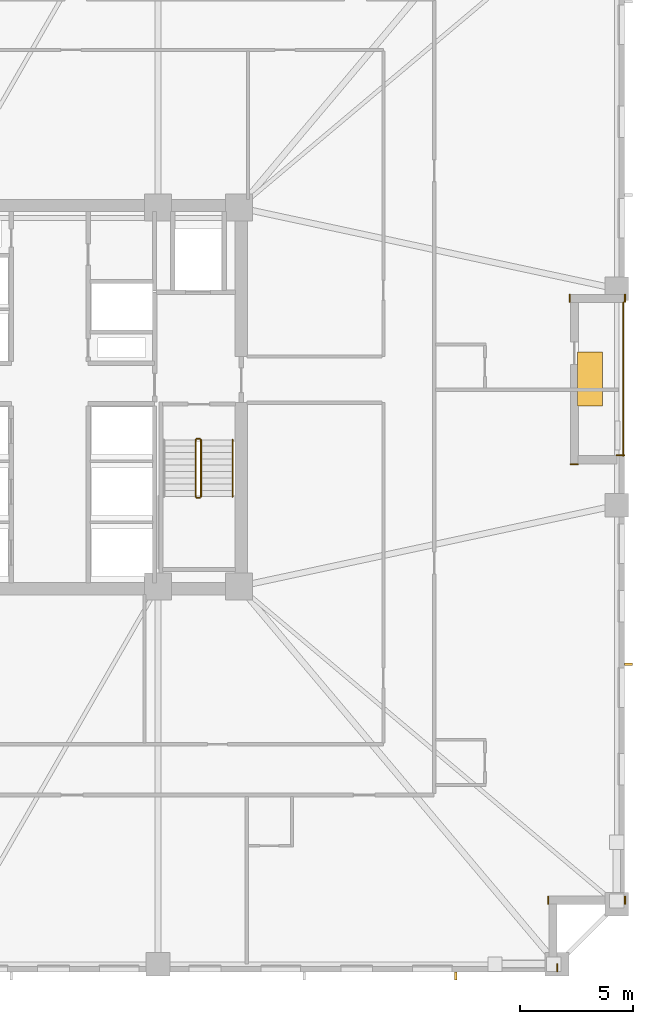
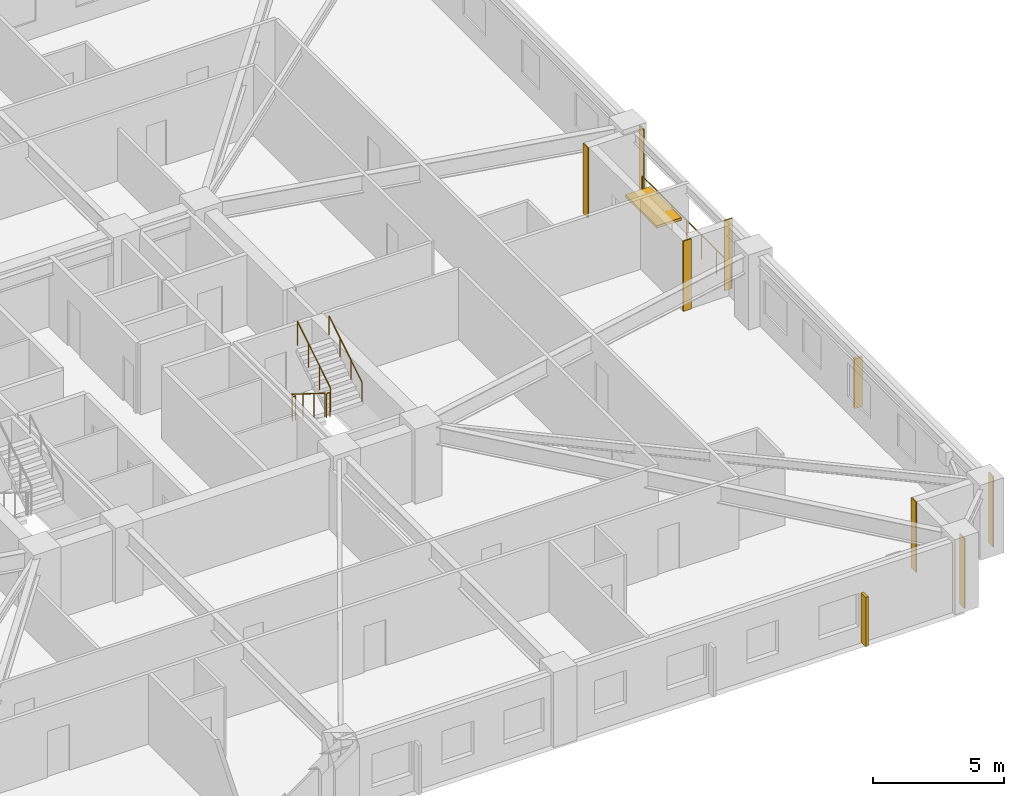
# One storey, part 9 of 11: 7 coverings, 6 railings, 3 shading devices.
"""IFC4 building model written with IfcOpenShell, lengths in metres."""

from ifc_helpers import new_model, si_unit, direction, frame, frame_2d, origin, origin_2d, place, context, subcontext, project, spatial, rectangle, circle, extrude, material, layer, layer_set, type_object, element, save


model = new_model("IFC4")

# Units and contexts
model_context = context("Model", 3, precision=1e-05, world=origin(), true_north=direction((0.0, 1.0)))
body_context = subcontext(model_context, "Body", "Model", "MODEL_VIEW")
ifc_project = project(units=[si_unit("LENGTHUNIT", "METRE"), si_unit("AREAUNIT", "SQUARE_METRE"), si_unit("VOLUMEUNIT", "CUBIC_METRE"), si_unit("PLANEANGLEUNIT", "RADIAN"), si_unit("MASSUNIT", "GRAM", prefix="KILO")], contexts=[model_context])

# Site, building, storey
site_placement = place(None, origin())
site = spatial("IfcSite", under=ifc_project, at=site_placement, CompositionType="ELEMENT")
building_placement = place(site_placement, origin())
building = spatial("IfcBuilding", under=site, at=building_placement, Name="Cairnveth Concourse Tower", CompositionType="ELEMENT")
storey_placement = place(building_placement, frame((0.0, 0.0, 72.5)))
storey = spatial("IfcBuildingStorey", under=building, at=storey_placement, Name="L19", CompositionType="ELEMENT", Elevation=72.5)

# Coverings
ifc_material_1 = material(Name="Dressed Melbourne Bluestone Cladding", Category="masonry")
ifc_layer = layer(ifc_material_1, 0.050048828125)
ifc_layer_set = layer_set([ifc_layer], Name="Dressed Melbourne Bluestone Cladding")
covering_type = type_object("IfcCoveringType", Name="DRESSED BLUESTONE PLINTH CLADDING 50", PredefinedType="CLADDING", material=ifc_layer_set)
for number, where, z_axis, x_axis, name in (
    (1, (77.139892578125, 36.419921875, 0.0), (0.0, 0.0, 1.0), (1.0, 0.0, 0.0), "Melbourne Bluestone Corner Quoin L19-247"),
    (2, (77.52001953125, 16.860107421875, 0.0), (0.0, 0.0, 1.0), (0.0, -1.0, 0.0), "Melbourne Bluestone Corner Quoin L19-248"),
    (3, (74.1201171875, 16.860107421875, 0.0), (0.0, 0.0, 1.0), (0.0, -1.0, 0.0), "Melbourne Bluestone Corner Quoin L19-249"),
    (4, (74.52001953125, 13.860107421875, 0.0), (0.0, 0.0, 1.0), (0.0, -1.0, 0.0), "Melbourne Bluestone Corner Quoin L19-250"),
    (5, (77.52001953125, 43.56005859375, 0.0), (0.0, 0.0, 1.0), (0.0, -1.0, 0.0), "Melbourne Bluestone Corner Quoin L19-260"),
    (6, (75.070068359375, 43.56005859375, 0.0), (0.0, 0.0, 1.0), (0.0, -1.0, 0.0), "Melbourne Bluestone Corner Quoin L19-261"),
):
    element("IfcCovering", number, at=place(storey_placement, frame(where, z_axis=z_axis, x_axis=x_axis)), inside=storey, type_object=covering_type, Name=name, PredefinedType="CLADDING", context=body_context, shape_type="SweptSolid", body=[
        extrude(rectangle(XDim=0.360107421875, YDim=0.050048828125, at=frame_2d((0.18017578125, 0.0))), origin(), (0.0, 0.0, 1.0), 3.280029296875),
    ])
covering_placement = place(storey_placement, frame((75.090087890625, 36.02001953125, 0.0), z_axis=(0.0, 0.0, 1.0), x_axis=(1.0, 0.0, 0.0)))
element("IfcCovering", 7, at=covering_placement, inside=storey, type_object=covering_type, Name="Melbourne Bluestone Corner Quoin L19-262", PredefinedType="CLADDING", context=body_context, shape_type="SweptSolid", body=[
    extrude(rectangle(XDim=0.35986328125, YDim=0.050048828125, at=frame_2d((0.179931640625, 0.0))), origin(), (0.0, 0.0, 1.0), 3.280029296875),
])

# Shading devices
ifc_material_2 = material(Name="Architectural Bronze Anodised Aluminium 6063-T6", Category="aluminium")
shading_device_type_1 = type_object("IfcShadingDeviceType", Name="GOTHIC BRONZE VERTICAL LANCET FIN", PredefinedType="USERDEFINED", material=ifc_material_2)
for number, where, z_axis, x_axis, name in (
    (8, (77.675048828125, 27.146240234375, 0.02978515625), (0.0, 0.0, 1.0), (0.0, 1.0, 0.0), "Gothic Bronze Vertical Fin L19-0-3"),
    (9, (70.0048828125, 13.324951171875, 0.02978515625), (0.0, 0.0, 1.0), (1.0, 0.0, 0.0), "Gothic Bronze Vertical Fin L19-3-1"),
):
    element("IfcShadingDevice", number, at=place(storey_placement, frame(where, z_axis=z_axis, x_axis=x_axis)), inside=storey, type_object=shading_device_type_1, Name=name, ObjectType="VERTICAL FIN", PredefinedType="USERDEFINED", context=body_context, shape_type="SweptSolid", body=[
        extrude(rectangle(XDim=0.1201171875, YDim=0.360107421875, at=origin_2d()), origin(), (0.0, 0.0, 1.0), 2.303955078125),
    ])
shading_device_type_2 = type_object("IfcShadingDeviceType", Name="SPIRAL TERRACE SUNSHADE CANOPY", PredefinedType="USERDEFINED", material=ifc_material_2)
shading_device_placement = place(storey_placement, frame((75.969970703125, 39.800048828125, 2.183837890625), z_axis=(0.0, 0.0, 1.0), x_axis=(1.0, 0.0, 0.0)))
element("IfcShadingDevice", 10, at=shading_device_placement, inside=storey, type_object=shading_device_type_2, Name="Spiral Terrace Sunshade L19", ObjectType="TERRACE SUNSHADE", PredefinedType="USERDEFINED", context=body_context, shape_type="SweptSolid", body=[
    extrude(rectangle(XDim=1.10009765625, YDim=2.39990234375, at=origin_2d()), origin(), (0.0, 0.0, 1.0), 0.1201171875),
])

# Railings
ifc_material_3 = material(Name="Steel Grade 350", Category="steel")
railing_type_1 = type_object("IfcRailingType", Name="STAIR GUARDRAIL 1150", PredefinedType="GUARDRAIL", material=ifc_material_3)
railing_1_placement = place(storey_placement, frame((58.469970703125, 37.10009765625, 0.175048828125)))
element("IfcRailing", 11, at=railing_1_placement, inside=storey, type_object=railing_type_1, Name="L19 ST-2 stair guard 1", PredefinedType="GUARDRAIL", context=body_context, shape_type="SweptSolid", body=[
    extrude(circle(Radius=0.02392578125, at=origin_2d()), frame((0.0, 0.0, 1.1259765625), z_axis=(0.0, -0.848007534815, 0.529984170421), x_axis=(1.0, 0.0, 0.0)), (0.0, 0.0, 1.0), 2.9716796875),
    extrude(circle(Radius=0.02099609375, at=origin_2d()), origin(), (0.0, 0.0, 1.0), 1.101806640625),
    extrude(circle(Radius=0.02099609375, at=origin_2d()), frame((0.0, -0.840087890625, 0.52490234375)), (0.0, 0.0, 1.0), 1.101806640625),
    extrude(circle(Radius=0.02099609375, at=origin_2d()), frame((0.0, -1.679931640625, 1.050048828125)), (0.0, 0.0, 1.0), 1.101806640625),
    extrude(circle(Radius=0.02099609375, at=origin_2d()), frame((0.0, -2.52001953125, 1.574951171875)), (0.0, 0.0, 1.0), 1.101806640625),
])
railing_2_placement = place(storey_placement, frame((58.52001953125, 34.530029296875, 1.75)))
element("IfcRailing", 12, at=railing_2_placement, inside=storey, type_object=railing_type_1, Name="L19 ST-2 stair guard 2", PredefinedType="GUARDRAIL", context=body_context, shape_type="SweptSolid", body=[
    extrude(circle(Radius=0.02392578125, at=origin_2d()), frame((0.0, 0.0, 1.1259765625), z_axis=(1.0, 0.0, 0.0), x_axis=(0.0, 1.0, 0.0)), (0.0, 0.0, 1.0), 0.139892578125),
    extrude(circle(Radius=0.02099609375, at=origin_2d()), origin(), (0.0, 0.0, 1.0), 1.101806640625),
    extrude(circle(Radius=0.02099609375, at=origin_2d()), frame((0.139892578125, 0.0, 0.0)), (0.0, 0.0, 1.0), 1.101806640625),
])
railing_3_placement = place(storey_placement, frame((58.7099609375, 34.580078125, 1.925048828125)))
element("IfcRailing", 13, at=railing_3_placement, inside=storey, type_object=railing_type_1, Name="L19 ST-2 stair guard 3", PredefinedType="GUARDRAIL", context=body_context, shape_type="SweptSolid", body=[
    extrude(circle(Radius=0.02392578125, at=origin_2d()), frame((0.0, 0.0, 1.1259765625), z_axis=(0.0, 0.848007534815, 0.529984170421), x_axis=(-1.0, 0.0, 0.0)), (0.0, 0.0, 1.0), 2.9716796875),
    extrude(circle(Radius=0.02099609375, at=origin_2d()), origin(), (0.0, 0.0, 1.0), 1.101806640625),
    extrude(circle(Radius=0.02099609375, at=origin_2d()), frame((0.0, 0.840087890625, 0.52490234375)), (0.0, 0.0, 1.0), 1.101806640625),
    extrude(circle(Radius=0.02099609375, at=origin_2d()), frame((0.0, 1.679931640625, 1.050048828125)), (0.0, 0.0, 1.0), 1.101806640625),
    extrude(circle(Radius=0.02099609375, at=origin_2d()), frame((0.0, 2.52001953125, 1.574951171875)), (0.0, 0.0, 1.0), 1.101806640625),
])
railing_4_placement = place(storey_placement, frame((58.52001953125, 37.14990234375, 0.0)))
element("IfcRailing", 14, at=railing_4_placement, inside=storey, type_object=railing_type_1, Name="L19 ST-2 stair guard 4", PredefinedType="GUARDRAIL", context=body_context, shape_type="SweptSolid", body=[
    extrude(circle(Radius=0.02392578125, at=origin_2d()), frame((0.0, 0.0, 1.1259765625), z_axis=(1.0, 0.0, 0.0), x_axis=(0.0, 1.0, 0.0)), (0.0, 0.0, 1.0), 0.139892578125),
    extrude(circle(Radius=0.02099609375, at=origin_2d()), origin(), (0.0, 0.0, 1.0), 1.101806640625),
    extrude(circle(Radius=0.02099609375, at=origin_2d()), frame((0.139892578125, 0.0, 0.0)), (0.0, 0.0, 1.0), 1.101806640625),
])
railing_type_2 = type_object("IfcRailingType", Name="STAIR WALL HANDRAIL 900", PredefinedType="HANDRAIL", material=ifc_material_3)
railing_5_placement = place(storey_placement, frame((60.110107421875, 34.580078125, 1.925048828125)))
element("IfcRailing", 15, at=railing_5_placement, inside=storey, type_object=railing_type_2, Name="L19 ST-2 stair handrail 2", PredefinedType="HANDRAIL", context=body_context, shape_type="SweptSolid", body=[
    extrude(circle(Radius=0.02392578125, at=origin_2d()), frame((0.0, 0.0, 0.8759765625), z_axis=(0.0, 0.848007534815, 0.529984170421), x_axis=(-1.0, 0.0, 0.0)), (0.0, 0.0, 1.0), 2.9716796875),
    extrude(circle(Radius=0.02099609375, at=origin_2d()), origin(), (0.0, 0.0, 1.0), 0.851806640625),
    extrude(circle(Radius=0.02099609375, at=origin_2d()), frame((0.0, 0.840087890625, 0.52490234375)), (0.0, 0.0, 1.0), 0.851806640625),
    extrude(circle(Radius=0.02099609375, at=origin_2d()), frame((0.0, 1.679931640625, 1.050048828125)), (0.0, 0.0, 1.0), 0.851806640625),
    extrude(circle(Radius=0.02099609375, at=origin_2d()), frame((0.0, 2.52001953125, 1.574951171875)), (0.0, 0.0, 1.0), 0.851806640625),
])
railing_type_3 = type_object("IfcRailingType", Name="TERRACE BRONZE BALUSTRADE 1150", PredefinedType="BALUSTRADE", material=ifc_material_2)
railing_6_placement = place(storey_placement, frame((77.43994140625, 36.39990234375, 0.0)))
element("IfcRailing", 16, at=railing_6_placement, inside=storey, type_object=railing_type_3, Name="Terrace Balustrade RL-L19-TERR", PredefinedType="BALUSTRADE", context=body_context, shape_type="SweptSolid", body=[
    extrude(circle(Radius=0.02490234375, at=origin_2d()), frame((0.0, 0.0, 1.125), z_axis=(0.0, 1.0, 0.0), x_axis=(-1.0, 0.0, 0.0)), (0.0, 0.0, 1.0), 6.800048828125),
    extrude(circle(Radius=0.02099609375, at=origin_2d()), origin(), (0.0, 0.0, 1.0), 1.099853515625),
    extrude(circle(Radius=0.02099609375, at=origin_2d()), frame((0.0, 1.13330078125, 0.0)), (0.0, 0.0, 1.0), 1.099853515625),
    extrude(circle(Radius=0.02099609375, at=origin_2d()), frame((0.0, 2.2666015625, 0.0)), (0.0, 0.0, 1.0), 1.099853515625),
    extrude(circle(Radius=0.02099609375, at=origin_2d()), frame((0.0, 3.39990234375, 0.0)), (0.0, 0.0, 1.0), 1.099853515625),
    extrude(circle(Radius=0.02099609375, at=origin_2d()), frame((0.0, 4.533447265625, 0.0)), (0.0, 0.0, 1.0), 1.099853515625),
    extrude(circle(Radius=0.02099609375, at=origin_2d()), frame((0.0, 5.666748046875, 0.0)), (0.0, 0.0, 1.0), 1.099853515625),
    extrude(circle(Radius=0.02099609375, at=origin_2d()), frame((0.0, 6.800048828125, 0.0)), (0.0, 0.0, 1.0), 1.099853515625),
])

save(model, "model.ifc")
